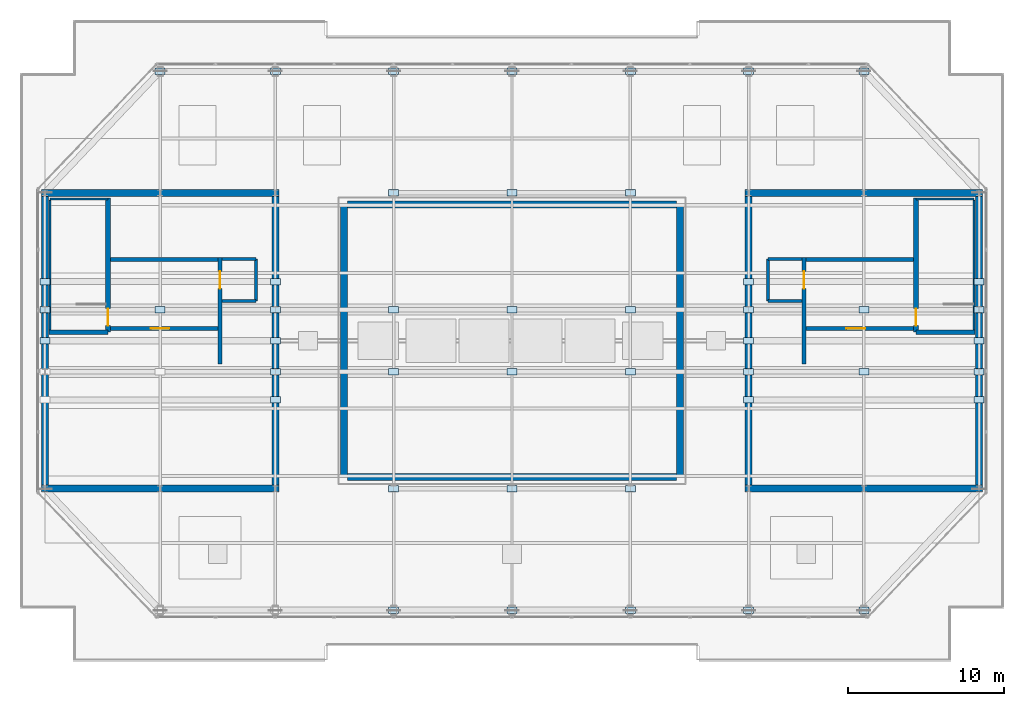
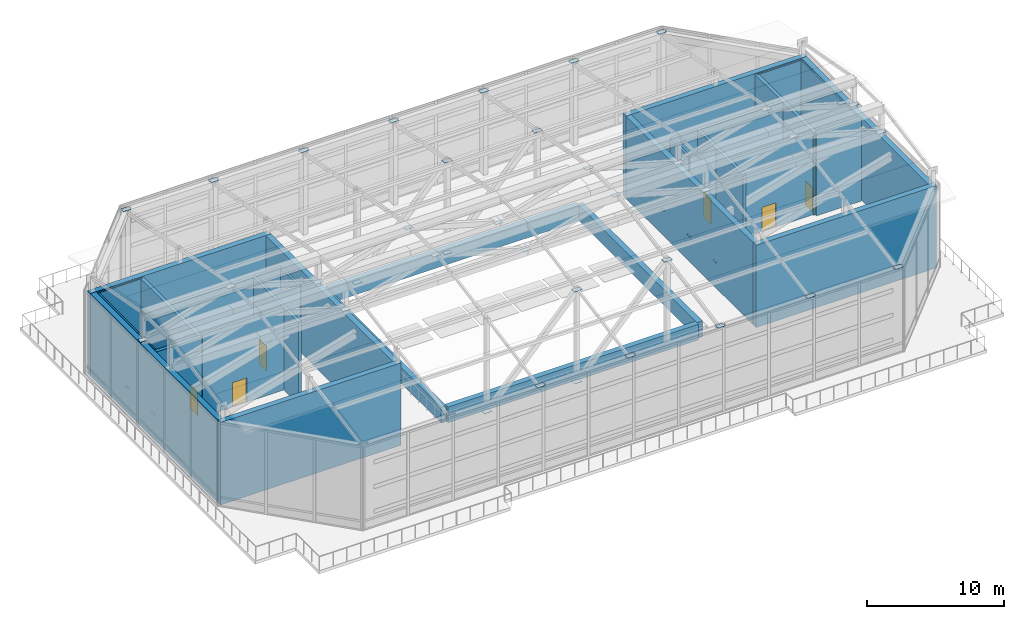
# One storey, part 23 of 25: 47 plates, 32 walls, 6 doors, 6 openings.
"""IFC4 building model written with IfcOpenShell, lengths in metres."""

from ifc_helpers import new_model, si_unit, direction, frame, frame_2d, origin, origin_2d, place, context, subcontext, project, spatial, rectangle, extrude, source, transform, mapped, material, layer, layer_set, type_object, type_shapes, element, fill, save


model = new_model("IFC4")

# Units and contexts
model_context = context("Model", 3, precision=1e-05, world=origin(), true_north=direction((0.0, 1.0)))
body_context = subcontext(model_context, "Body", "Model", "MODEL_VIEW")
ifc_project = project(units=[si_unit("LENGTHUNIT", "METRE"), si_unit("AREAUNIT", "SQUARE_METRE"), si_unit("VOLUMEUNIT", "CUBIC_METRE"), si_unit("PLANEANGLEUNIT", "RADIAN"), si_unit("MASSUNIT", "GRAM", prefix="KILO")], contexts=[model_context])

# Site, building, storey
site_placement = place(None, origin())
site = spatial("IfcSite", under=ifc_project, at=site_placement, CompositionType="ELEMENT")
building_placement = place(site_placement, origin())
building = spatial("IfcBuilding", under=site, at=building_placement, Name="Haelvirn Gate Laboratories", CompositionType="ELEMENT")
storey_placement = place(building_placement, frame((0.0, 0.0, 337.800048828125)))
storey = spatial("IfcBuildingStorey", under=building, at=storey_placement, Name="RF", CompositionType="ELEMENT", Elevation=337.800048828125)

# Plates
ifc_material_1 = material(Name="Steel SM420", Category="steel")
ifc_layer_1 = layer(ifc_material_1, 0.028076171875, Name="PL-NODE-CN1")
ifc_layer_set_1 = layer_set([ifc_layer_1], Name="Steel SM420")
plate_type = type_object("IfcPlateType", Name="PL-NODE-CN1", PredefinedType="USERDEFINED", material=ifc_layer_set_1)
shared_shape_1 = source(origin(), body_context, "Body", "SweptSolid", [
    extrude(rectangle(XDim=0.64990234375, YDim=0.419921875, at=origin_2d()), origin(), (0.0, 0.0, 1.0), 0.028076171875),
])
type_shapes(plate_type, [shared_shape_1])
for number, where, z_axis, x_axis, name in (
    (1, (29.800048828125, 7.0, 7.3359375), (0.0, 0.0, 1.0), (1.0, 0.0, 0.0), "RF Steel Truss Node Plate CN1"),
    (2, (37.39990234375, 7.0, 7.3359375), (0.0, 0.0, 1.0), (1.0, 0.0, 0.0), "RF Steel Truss Node Plate CN1"),
    (3, (45.0, 7.0, 7.3359375), (0.0, 0.0, 1.0), (1.0, 0.0, 0.0), "RF Steel Truss Node Plate CN1"),
    (4, (52.60009765625, 7.0, 7.3359375), (0.0, 0.0, 1.0), (1.0, 0.0, 0.0), "RF Steel Truss Node Plate CN1"),
    (5, (60.0, 7.0, 7.3359375), (0.0, 0.0, 1.0), (1.0, 0.0, 0.0), "RF Steel Truss Node Plate CN1"),
    (6, (14.800048828125, 41.60009765625, 7.3359375), (0.0, 0.0, 1.0), (1.0, 0.0, 0.0), "RF Steel Truss Node Plate CN1"),
    (7, (22.199951171875, 41.60009765625, 7.3359375), (0.0, 0.0, 1.0), (1.0, 0.0, 0.0), "RF Steel Truss Node Plate CN1"),
    (8, (29.800048828125, 41.60009765625, 7.3359375), (0.0, 0.0, 1.0), (1.0, 0.0, 0.0), "RF Steel Truss Node Plate CN1"),
    (9, (37.39990234375, 41.60009765625, 7.3359375), (0.0, 0.0, 1.0), (1.0, 0.0, 0.0), "RF Steel Truss Node Plate CN1"),
    (10, (45.0, 41.60009765625, 7.3359375), (0.0, 0.0, 1.0), (1.0, 0.0, 0.0), "RF Steel Truss Node Plate CN1"),
    (11, (52.60009765625, 41.60009765625, 7.3359375), (0.0, 0.0, 1.0), (1.0, 0.0, 0.0), "RF Steel Truss Node Plate CN1"),
    (12, (60.0, 41.60009765625, 7.3359375), (0.0, 0.0, 1.0), (1.0, 0.0, 0.0), "RF Steel Truss Node Plate CN1"),
    (13, (29.800048828125, 14.800048828125, 0.2861328125), (0.0, 0.0, 1.0), (1.0, 0.0, 0.0), "RF Steel Truss Node Plate CN1"),
    (14, (37.39990234375, 14.800048828125, 8.4970703125), (0.0, 0.0, 1.0), (1.0, 0.0, 0.0), "RF Steel Truss Node Plate CN1"),
    (15, (37.39990234375, 14.800048828125, 0.2861328125), (0.0, 0.0, 1.0), (1.0, 0.0, 0.0), "RF Steel Truss Node Plate CN1"),
    (16, (45.0, 14.800048828125, 8.4970703125), (0.0, 0.0, 1.0), (1.0, 0.0, 0.0), "RF Steel Truss Node Plate CN1"),
    (17, (29.800048828125, 33.800048828125, 0.2861328125), (0.0, 0.0, 1.0), (1.0, 0.0, 0.0), "RF Steel Truss Node Plate CN1"),
    (18, (37.39990234375, 33.800048828125, 8.4970703125), (0.0, 0.0, 1.0), (1.0, 0.0, 0.0), "RF Steel Truss Node Plate CN1"),
    (19, (37.39990234375, 33.800048828125, 0.2861328125), (0.0, 0.0, 1.0), (1.0, 0.0, 0.0), "RF Steel Truss Node Plate CN1"),
    (20, (45.0, 33.800048828125, 8.4970703125), (0.0, 0.0, 1.0), (1.0, 0.0, 0.0), "RF Steel Truss Node Plate CN1"),
    (21, (22.199951171875, 20.5, 6.5859375), (0.0, 0.0, 1.0), (1.0, 0.0, 0.0), "RF Steel Truss Node Plate CN1"),
    (22, (52.60009765625, 20.5, 2.3359375), (0.0, 0.0, 1.0), (1.0, 0.0, 0.0), "RF Steel Truss Node Plate CN1"),
    (23, (67.39990234375, 20.5, 6.5859375), (0.0, 0.0, 1.0), (1.0, 0.0, 0.0), "RF Steel Truss Node Plate CN1"),
    (24, (7.39990234375, 24.300048828125, 2.3359375), (0.0, 0.0, 1.0), (1.0, 0.0, 0.0), "RF Steel Truss Node Plate CN1"),
    (25, (22.199951171875, 24.300048828125, 6.5859375), (0.0, 0.0, 1.0), (1.0, 0.0, 0.0), "RF Steel Truss Node Plate CN1"),
    (26, (52.60009765625, 24.300048828125, 2.3359375), (0.0, 0.0, 1.0), (1.0, 0.0, 0.0), "RF Steel Truss Node Plate CN1"),
    (27, (67.39990234375, 24.300048828125, 6.5859375), (0.0, 0.0, 1.0), (1.0, 0.0, 0.0), "RF Steel Truss Node Plate CN1"),
    (28, (7.39990234375, 28.10009765625, 2.3359375), (0.0, 0.0, 1.0), (1.0, 0.0, 0.0), "RF Steel Truss Node Plate CN1"),
    (29, (22.199951171875, 28.10009765625, 6.5859375), (0.0, 0.0, 1.0), (1.0, 0.0, 0.0), "RF Steel Truss Node Plate CN1"),
    (30, (52.60009765625, 28.10009765625, 2.3359375), (0.0, 0.0, 1.0), (1.0, 0.0, 0.0), "RF Steel Truss Node Plate CN1"),
    (31, (67.39990234375, 28.10009765625, 6.5859375), (0.0, 0.0, 1.0), (1.0, 0.0, 0.0), "RF Steel Truss Node Plate CN1"),
    (32, (22.199951171875, 22.300048828125, 7.5361328125), (0.0, 0.0, 1.0), (1.0, 0.0, 0.0), "RF Steel Truss Node Plate CN1"),
    (33, (29.800048828125, 22.300048828125, 9.7412109375), (0.0, 0.0, 1.0), (1.0, 0.0, 0.0), "RF Steel Truss Node Plate CN1"),
    (34, (37.39990234375, 22.300048828125, 7.5361328125), (0.0, 0.0, 1.0), (1.0, 0.0, 0.0), "RF Steel Truss Node Plate CN1"),
    (35, (45.0, 22.300048828125, 9.7412109375), (0.0, 0.0, 1.0), (1.0, 0.0, 0.0), "RF Steel Truss Node Plate CN1"),
    (36, (52.60009765625, 22.300048828125, 7.5361328125), (0.0, 0.0, 1.0), (1.0, 0.0, 0.0), "RF Steel Truss Node Plate CN1"),
    (37, (60.0, 22.300048828125, 9.7412109375), (0.0, 0.0, 1.0), (1.0, 0.0, 0.0), "RF Steel Truss Node Plate CN1"),
    (38, (67.39990234375, 22.300048828125, 7.5361328125), (0.0, 0.0, 1.0), (1.0, 0.0, 0.0), "RF Steel Truss Node Plate CN1"),
    (39, (7.39990234375, 26.300048828125, 7.5361328125), (0.0, 0.0, 1.0), (1.0, 0.0, 0.0), "RF Steel Truss Node Plate CN1"),
    (40, (14.800048828125, 26.300048828125, 9.7412109375), (0.0, 0.0, 1.0), (1.0, 0.0, 0.0), "RF Steel Truss Node Plate CN1"),
    (41, (22.199951171875, 26.300048828125, 7.5361328125), (0.0, 0.0, 1.0), (1.0, 0.0, 0.0), "RF Steel Truss Node Plate CN1"),
    (42, (29.800048828125, 26.300048828125, 9.7412109375), (0.0, 0.0, 1.0), (1.0, 0.0, 0.0), "RF Steel Truss Node Plate CN1"),
    (43, (37.39990234375, 26.300048828125, 7.5361328125), (0.0, 0.0, 1.0), (1.0, 0.0, 0.0), "RF Steel Truss Node Plate CN1"),
    (44, (45.0, 26.300048828125, 9.7412109375), (0.0, 0.0, 1.0), (1.0, 0.0, 0.0), "RF Steel Truss Node Plate CN1"),
    (45, (52.60009765625, 26.300048828125, 7.5361328125), (0.0, 0.0, 1.0), (1.0, 0.0, 0.0), "RF Steel Truss Node Plate CN1"),
    (46, (60.0, 26.300048828125, 9.7412109375), (0.0, 0.0, 1.0), (1.0, 0.0, 0.0), "RF Steel Truss Node Plate CN1"),
    (47, (67.39990234375, 26.300048828125, 7.5361328125), (0.0, 0.0, 1.0), (1.0, 0.0, 0.0), "RF Steel Truss Node Plate CN1"),
):
    element("IfcPlate", number, at=place(storey_placement, frame(where, z_axis=z_axis, x_axis=x_axis)), inside=storey, type_object=plate_type, Name=name, ObjectType="END_CAP_PLATE", PredefinedType="USERDEFINED", context=body_context, shape_type="MappedRepresentation", body=[
        mapped(shared_shape_1, transform((0.0, 0.0, 0.0), scale=1.0)),
    ])

# Walls
ifc_material_2 = material(Name="Concrete C40/50", Category="concrete")
ifc_layer_2 = layer(ifc_material_2, 0.199951171875, Name="IW-SHAFT-200")
ifc_layer_set_2 = layer_set([ifc_layer_2], Name="Concrete C40/50")
wall_type_1 = type_object("IfcWallType", Name="IW-SHAFT-200", PredefinedType="SOLIDWALL", material=ifc_layer_set_2)
wall_1_placement = place(storey_placement, frame((20.949951171875, 26.85009765625, 0.0), z_axis=(0.0, 0.0, 1.0), x_axis=(0.0, 1.0, 0.0)))
element("IfcWall", 48, at=wall_1_placement, inside=storey, type_object=wall_type_1, Name="RF Interior Wall IW-RF-FL1-BK", PredefinedType="SOLIDWALL", context=body_context, shape_type="SweptSolid", body=[
    extrude(rectangle(XDim=2.699951171875, YDim=0.199951171875, at=frame_2d((1.35009765625, 0.0))), origin(), (0.0, 0.0, 1.0), 7.349853515625),
])
for number, where, z_axis, x_axis, name in (
    (49, (18.760009765625, 29.550048828125, 0.0), (0.0, 0.0, 1.0), (1.0, 0.0, 0.0), "RF Interior Wall IW-RF-FL1-N"),
    (50, (18.760009765625, 26.85009765625, 0.0), (0.0, 0.0, 1.0), (1.0, 0.0, 0.0), "RF Interior Wall IW-RF-FL1-S"),
):
    element("IfcWall", number, at=place(storey_placement, frame(where, z_axis=z_axis, x_axis=x_axis)), inside=storey, type_object=wall_type_1, Name=name, PredefinedType="SOLIDWALL", context=body_context, shape_type="SweptSolid", body=[
        extrude(rectangle(XDim=2.18994140625, YDim=0.199951171875, at=frame_2d((1.094970703125, 0.0))), origin(), (0.0, 0.0, 1.0), 7.349853515625),
    ])
wall_2_placement = place(storey_placement, frame((53.85009765625, 26.85009765625, 0.0), z_axis=(0.0, 0.0, 1.0), x_axis=(0.0, 1.0, 0.0)))
element("IfcWall", 51, at=wall_2_placement, inside=storey, type_object=wall_type_1, Name="RF Interior Wall IW-RF-FL2-BK", PredefinedType="SOLIDWALL", context=body_context, shape_type="SweptSolid", body=[
    extrude(rectangle(XDim=2.699951171875, YDim=0.199951171875, at=frame_2d((1.35009765625, 0.0))), origin(), (0.0, 0.0, 1.0), 7.349853515625),
])
for number, where, z_axis, x_axis, name in (
    (52, (53.85009765625, 29.550048828125, 0.0), (0.0, 0.0, 1.0), (1.0, 0.0, 0.0), "RF Interior Wall IW-RF-FL2-N"),
    (53, (53.85009765625, 26.85009765625, 0.0), (0.0, 0.0, 1.0), (1.0, 0.0, 0.0), "RF Interior Wall IW-RF-FL2-S"),
):
    element("IfcWall", number, at=place(storey_placement, frame(where, z_axis=z_axis, x_axis=x_axis)), inside=storey, type_object=wall_type_1, Name=name, PredefinedType="SOLIDWALL", context=body_context, shape_type="SweptSolid", body=[
        extrude(rectangle(XDim=2.18994140625, YDim=0.199951171875, at=frame_2d((1.094970703125, 0.0))), origin(), (0.0, 0.0, 1.0), 7.349853515625),
    ])

# Wall, opening, door
ifc_layer_3 = layer(ifc_material_2, 0.239990234375, Name="IW-SHAFT-240")
ifc_layer_set_3 = layer_set([ifc_layer_3], Name="Concrete C40/50")
wall_type_2 = type_object("IfcWallType", Name="IW-SHAFT-240", PredefinedType="SOLIDWALL", material=ifc_layer_set_3)
wall_3_placement = place(storey_placement, frame((11.60009765625, 25.080078125, 0.0), z_axis=(0.0, 0.0, 1.0), x_axis=(1.0, 0.0, 0.0)))
wall_3 = element("IfcWall", 54, at=wall_3_placement, inside=storey, type_object=wall_type_2, Name="RF Interior Wall IW-RF-W-FF-S", PredefinedType="SOLIDWALL", context=body_context, shape_type="SweptSolid", body=[
    extrude(rectangle(XDim=6.919921875, YDim=0.239990234375, at=frame_2d((3.4599609375, 0.0))), origin(), (0.0, 0.0, 1.0), 7.349853515625),
])
opening_1_placement = place(wall_3_placement, frame((2.60009765625, 0.0, 0.0)))
opening_1 = element("IfcOpeningElement", 55, at=opening_1_placement, cuts=wall_3, Name="Opening FD2", PredefinedType="OPENING", context=body_context, shape_type="SweptSolid", body=[
    extrude(rectangle(XDim=1.199951171875, YDim=2.159912109375, at=frame_2d((0.60009765625, 1.080078125))), frame((0.0, 0.1298828125, 0.0), z_axis=(0.0, -1.0, 0.0), x_axis=(1.0, 0.0, 0.0)), (0.0, 0.0, 1.0), 0.260009765625),
])
ifc_material_3 = material(Name="Fire-rated steel SM355 compartment door", Category="steel")
door_type_1 = type_object("IfcDoorType", Name="DR-FD-1200", OperationType="NOTDEFINED", PredefinedType="DOOR", material=ifc_material_3)
shared_shape_2 = source(origin(), body_context, "Body", "SweptSolid", [
    extrude(rectangle(XDim=1.199951171875, YDim=2.159912109375, at=frame_2d((0.60009765625, 1.080078125))), frame((0.0, 0.02490234375, 0.0), z_axis=(0.0, -1.0, 0.0), x_axis=(1.0, 0.0, 0.0)), (0.0, 0.0, 1.0), 0.050048828125),
])
type_shapes(door_type_1, [shared_shape_2])
door_1_placement = place(opening_1_placement, origin())
door_1 = element("IfcDoor", 56, at=door_1_placement, inside=storey, type_object=door_type_1, Name="RF West Firefighting Lobby Door", OperationType="SINGLE_SWING_RIGHT", OverallHeight=2.159912109375, OverallWidth=1.199951171875, PredefinedType="DOOR", context=body_context, shape_type="MappedRepresentation", body=[
    mapped(shared_shape_2, transform((0.0, 0.0, 0.0), scale=1.0)),
])
fill(opening_1, door_1)

# Wall
wall_4_placement = place(storey_placement, frame((11.60009765625, 29.52001953125, 0.0), z_axis=(0.0, 0.0, 1.0), x_axis=(1.0, 0.0, 0.0)))
element("IfcWall", 57, at=wall_4_placement, inside=storey, type_object=wall_type_2, Name="RF Interior Wall IW-RF-W-FF-N", PredefinedType="SOLIDWALL", context=body_context, shape_type="SweptSolid", body=[
    extrude(rectangle(XDim=6.919921875, YDim=0.239990234375, at=frame_2d((3.4599609375, 0.0))), origin(), (0.0, 0.0, 1.0), 7.349853515625),
])

# Wall, opening, door
wall_5_placement = place(storey_placement, frame((18.639892578125, 22.800048828125, 0.0), z_axis=(0.0, 0.0, 1.0), x_axis=(0.0, 1.0, 0.0)))
wall_5 = element("IfcWall", 58, at=wall_5_placement, inside=storey, type_object=wall_type_2, Name="RF Interior Wall IW-RF-W-FF-E", PredefinedType="SOLIDWALL", context=body_context, shape_type="SweptSolid", body=[
    extrude(rectangle(XDim=6.849853515625, YDim=0.239990234375, at=frame_2d((3.4248046875, 0.0))), origin(), (0.0, 0.0, 1.0), 7.349853515625),
])
opening_2_placement = place(wall_5_placement, frame((4.85009765625, 0.0, 0.0)))
opening_2 = element("IfcOpeningElement", 59, at=opening_2_placement, cuts=wall_5, Name="Opening LD2", PredefinedType="OPENING", context=body_context, shape_type="SweptSolid", body=[
    extrude(rectangle(XDim=1.10009765625, YDim=2.219970703125, at=frame_2d((0.550048828125, 1.10986328125))), frame((0.0, 0.1298828125, 0.0), z_axis=(0.0, -1.0, 0.0), x_axis=(1.0, 0.0, 0.0)), (0.0, 0.0, 1.0), 0.260009765625),
])
ifc_material_4 = material(Name="Bronze stainless 316L sliding lift landing door")
door_type_2 = type_object("IfcDoorType", Name="DR-LD-1100", OperationType="NOTDEFINED", PredefinedType="USERDEFINED", material=ifc_material_4)
shared_shape_3 = source(origin(), body_context, "Body", "SweptSolid", [
    extrude(rectangle(XDim=1.10009765625, YDim=2.219970703125, at=frame_2d((0.550048828125, 1.10986328125))), frame((0.0, 0.02490234375, 0.0), z_axis=(0.0, -1.0, 0.0), x_axis=(1.0, 0.0, 0.0)), (0.0, 0.0, 1.0), 0.050048828125),
])
type_shapes(door_type_2, [shared_shape_3])
door_2_placement = place(opening_2_placement, origin())
door_2 = element("IfcDoor", 60, at=door_2_placement, inside=storey, type_object=door_type_2, Name="RF Firefighting Lift FL1 Landing Door", ObjectType="LANDING_DOOR", OperationType="SLIDING_TO_LEFT", OverallHeight=2.219970703125, OverallWidth=1.10009765625, PredefinedType="USERDEFINED", context=body_context, shape_type="MappedRepresentation", body=[
    mapped(shared_shape_3, transform((0.0, 0.0, 0.0), scale=1.0)),
])
fill(opening_2, door_2)

wall_6_placement = place(storey_placement, frame((56.280029296875, 25.080078125, 0.0), z_axis=(0.0, 0.0, 1.0), x_axis=(1.0, 0.0, 0.0)))
wall_6 = element("IfcWall", 61, at=wall_6_placement, inside=storey, type_object=wall_type_2, Name="RF Interior Wall IW-RF-E-FF-S", PredefinedType="SOLIDWALL", context=body_context, shape_type="SweptSolid", body=[
    extrude(rectangle(XDim=6.919921875, YDim=0.239990234375, at=frame_2d((3.4599609375, 0.0))), origin(), (0.0, 0.0, 1.0), 7.349853515625),
])
opening_3_placement = place(wall_6_placement, frame((2.60009765625, 0.0, 0.0)))
opening_3 = element("IfcOpeningElement", 62, at=opening_3_placement, cuts=wall_6, Name="Opening FD2", PredefinedType="OPENING", context=body_context, shape_type="SweptSolid", body=[
    extrude(rectangle(XDim=1.199951171875, YDim=2.159912109375, at=frame_2d((0.60009765625, 1.080078125))), frame((0.0, 0.1298828125, 0.0), z_axis=(0.0, -1.0, 0.0), x_axis=(1.0, 0.0, 0.0)), (0.0, 0.0, 1.0), 0.260009765625),
])
door_3_placement = place(opening_3_placement, origin())
door_3 = element("IfcDoor", 63, at=door_3_placement, inside=storey, type_object=door_type_1, Name="RF East Firefighting Lobby Door", OperationType="SINGLE_SWING_LEFT", OverallHeight=2.159912109375, OverallWidth=1.199951171875, PredefinedType="DOOR", context=body_context, shape_type="MappedRepresentation", body=[
    mapped(shared_shape_2, transform((0.0, 0.0, 0.0), scale=1.0)),
])
fill(opening_3, door_3)

# Wall
wall_7_placement = place(storey_placement, frame((56.280029296875, 29.52001953125, 0.0), z_axis=(0.0, 0.0, 1.0), x_axis=(1.0, 0.0, 0.0)))
element("IfcWall", 64, at=wall_7_placement, inside=storey, type_object=wall_type_2, Name="RF Interior Wall IW-RF-E-FF-N", PredefinedType="SOLIDWALL", context=body_context, shape_type="SweptSolid", body=[
    extrude(rectangle(XDim=6.919921875, YDim=0.239990234375, at=frame_2d((3.4599609375, 0.0))), origin(), (0.0, 0.0, 1.0), 7.349853515625),
])

# Wall, opening, door
wall_8_placement = place(storey_placement, frame((56.159912109375, 22.800048828125, 0.0), z_axis=(0.0, 0.0, 1.0), x_axis=(0.0, 1.0, 0.0)))
wall_8 = element("IfcWall", 65, at=wall_8_placement, inside=storey, type_object=wall_type_2, Name="RF Interior Wall IW-RF-E-FF-E", PredefinedType="SOLIDWALL", context=body_context, shape_type="SweptSolid", body=[
    extrude(rectangle(XDim=6.849853515625, YDim=0.239990234375, at=frame_2d((3.4248046875, 0.0))), origin(), (0.0, 0.0, 1.0), 7.349853515625),
])
opening_4_placement = place(wall_8_placement, frame((4.85009765625, 0.0, 0.0)))
opening_4 = element("IfcOpeningElement", 66, at=opening_4_placement, cuts=wall_8, Name="Opening LD2", PredefinedType="OPENING", context=body_context, shape_type="SweptSolid", body=[
    extrude(rectangle(XDim=1.10009765625, YDim=2.219970703125, at=frame_2d((0.550048828125, 1.10986328125))), frame((0.0, 0.1298828125, 0.0), z_axis=(0.0, -1.0, 0.0), x_axis=(1.0, 0.0, 0.0)), (0.0, 0.0, 1.0), 0.260009765625),
])
door_4_placement = place(opening_4_placement, origin())
door_4 = element("IfcDoor", 67, at=door_4_placement, inside=storey, type_object=door_type_2, Name="RF Firefighting Lift FL2 Landing Door", ObjectType="LANDING_DOOR", OperationType="SLIDING_TO_RIGHT", OverallHeight=2.219970703125, OverallWidth=1.10009765625, PredefinedType="USERDEFINED", context=body_context, shape_type="MappedRepresentation", body=[
    mapped(shared_shape_3, transform((0.0, 0.0, 0.0), scale=1.0)),
])
fill(opening_4, door_4)

# Walls
ifc_material_5 = material(Name="Concrete C50/60", Category="concrete")
ifc_layer_4 = layer(ifc_material_5, 0.449951171875, Name="SW-CORE-450")
ifc_layer_set_4 = layer_set([ifc_layer_4], Name="Concrete C50/60")
wall_type_3 = type_object("IfcWallType", Name="SW-CORE-450", PredefinedType="SHEAR", material=ifc_layer_set_4)
for number, where, z_axis, x_axis, name in (
    (68, (7.175048828125, 14.800048828125, 0.0), (0.0, 0.0, 1.0), (1.0, 0.0, 0.0), "RF W Core Shear Wall S"),
    (69, (7.175048828125, 33.800048828125, 0.0), (0.0, 0.0, 1.0), (1.0, 0.0, 0.0), "RF W Core Shear Wall N"),
):
    element("IfcWall", number, at=place(storey_placement, frame(where, z_axis=z_axis, x_axis=x_axis)), inside=storey, type_object=wall_type_3, Name=name, PredefinedType="SHEAR", context=body_context, shape_type="SweptSolid", body=[
        extrude(rectangle(XDim=15.25, YDim=0.449951171875, at=frame_2d((7.625, 0.0))), origin(), (0.0, 0.0, 1.0), 7.349853515625),
    ])
for number, where, z_axis, x_axis, name in (
    (70, (7.39990234375, 15.02490234375, 0.0), (0.0, 0.0, 1.0), (0.0, 1.0, 0.0), "RF W Core Shear Wall W"),
    (71, (22.199951171875, 15.02490234375, 0.0), (0.0, 0.0, 1.0), (0.0, 1.0, 0.0), "RF W Core Shear Wall E"),
):
    element("IfcWall", number, at=place(storey_placement, frame(where, z_axis=z_axis, x_axis=x_axis)), inside=storey, type_object=wall_type_3, Name=name, PredefinedType="SHEAR", context=body_context, shape_type="SweptSolid", body=[
        extrude(rectangle(XDim=18.550048828125, YDim=0.449951171875, at=frame_2d((9.27490234375, 0.0))), origin(), (0.0, 0.0, 1.0), 7.349853515625),
    ])
for number, where, z_axis, x_axis, name in (
    (72, (52.375, 14.800048828125, 0.0), (0.0, 0.0, 1.0), (1.0, 0.0, 0.0), "RF E Core Shear Wall S"),
    (73, (52.375, 33.800048828125, 0.0), (0.0, 0.0, 1.0), (1.0, 0.0, 0.0), "RF E Core Shear Wall N"),
):
    element("IfcWall", number, at=place(storey_placement, frame(where, z_axis=z_axis, x_axis=x_axis)), inside=storey, type_object=wall_type_3, Name=name, PredefinedType="SHEAR", context=body_context, shape_type="SweptSolid", body=[
        extrude(rectangle(XDim=15.25, YDim=0.449951171875, at=frame_2d((7.625, 0.0))), origin(), (0.0, 0.0, 1.0), 7.349853515625),
    ])
for number, where, z_axis, x_axis, name in (
    (74, (52.60009765625, 15.02490234375, 0.0), (0.0, 0.0, 1.0), (0.0, 1.0, 0.0), "RF E Core Shear Wall W"),
    (75, (67.39990234375, 15.02490234375, 0.0), (0.0, 0.0, 1.0), (0.0, 1.0, 0.0), "RF E Core Shear Wall E"),
):
    element("IfcWall", number, at=place(storey_placement, frame(where, z_axis=z_axis, x_axis=x_axis)), inside=storey, type_object=wall_type_3, Name=name, PredefinedType="SHEAR", context=body_context, shape_type="SweptSolid", body=[
        extrude(rectangle(XDim=18.550048828125, YDim=0.449951171875, at=frame_2d((9.27490234375, 0.0))), origin(), (0.0, 0.0, 1.0), 7.349853515625),
    ])
for number, where, z_axis, x_axis, name in (
    (76, (26.820068359375, 15.550048828125, 0.0), (0.0, 0.0, 1.0), (1.0, 0.0, 0.0), "RF Atrium Skylight Monitor Curb Wall S"),
    (77, (26.820068359375, 33.050048828125, 0.0), (0.0, 0.0, 1.0), (1.0, 0.0, 0.0), "RF Atrium Skylight Monitor Curb Wall N"),
):
    element("IfcWall", number, at=place(storey_placement, frame(where, z_axis=z_axis, x_axis=x_axis)), inside=storey, type_object=wall_type_3, Name=name, PredefinedType="SHEAR", context=body_context, shape_type="SweptSolid", body=[
        extrude(rectangle(XDim=21.159912109375, YDim=0.449951171875, at=frame_2d((10.580078125, 0.0))), origin(), (0.0, 0.0, 1.0), 1.39990234375),
    ])
for number, where, z_axis, x_axis, name in (
    (78, (26.60009765625, 15.550048828125, 0.0), (0.0, 0.0, 1.0), (0.0, 1.0, 0.0), "RF Atrium Skylight Monitor Curb Wall W"),
    (79, (48.199951171875, 15.550048828125, 0.0), (0.0, 0.0, 1.0), (0.0, 1.0, 0.0), "RF Atrium Skylight Monitor Curb Wall E"),
):
    element("IfcWall", number, at=place(storey_placement, frame(where, z_axis=z_axis, x_axis=x_axis)), inside=storey, type_object=wall_type_3, Name=name, PredefinedType="SHEAR", context=body_context, shape_type="SweptSolid", body=[
        extrude(rectangle(XDim=17.5, YDim=0.449951171875, at=frame_2d((8.75, 0.0))), origin(), (0.0, 0.0, 1.0), 1.39990234375),
    ])
ifc_layer_5 = layer(ifc_material_5, 0.1201171875, Name="SW-LINER-120")
ifc_layer_set_5 = layer_set([ifc_layer_5], Name="Concrete C50/60")
wall_type_4 = type_object("IfcWallType", Name="SW-LINER-120", PredefinedType="SOLIDWALL", material=ifc_layer_set_5)
wall_9_placement = place(storey_placement, frame((7.72998046875, 33.39990234375, 0.0), z_axis=(0.0, 0.0, 1.0), x_axis=(1.0, 0.0, 0.0)))
element("IfcWall", 80, at=wall_9_placement, inside=storey, type_object=wall_type_4, Name="RF W Core Stair Shaft Liner Wall N", PredefinedType="SOLIDWALL", context=body_context, shape_type="SweptSolid", body=[
    extrude(rectangle(XDim=3.719970703125, YDim=0.1201171875, at=frame_2d((1.85986328125, 0.0))), origin(), (0.0, 0.0, 1.0), 7.349853515625),
])
wall_10_placement = place(storey_placement, frame((7.72998046875, 25.0, 0.0), z_axis=(0.0, 0.0, 1.0), x_axis=(0.0, 1.0, 0.0)))
element("IfcWall", 81, at=wall_10_placement, inside=storey, type_object=wall_type_4, Name="RF W Core Stair Shaft Liner Wall OUT", PredefinedType="SOLIDWALL", context=body_context, shape_type="SweptSolid", body=[
    extrude(rectangle(XDim=8.320068359375, YDim=0.1201171875, at=frame_2d((4.16015625, 0.0))), origin(), (0.0, 0.0, 1.0), 7.349853515625),
])
wall_11_placement = place(storey_placement, frame((63.35009765625, 33.39990234375, 0.0), z_axis=(0.0, 0.0, 1.0), x_axis=(1.0, 0.0, 0.0)))
element("IfcWall", 82, at=wall_11_placement, inside=storey, type_object=wall_type_4, Name="RF E Core Stair Shaft Liner Wall N", PredefinedType="SOLIDWALL", context=body_context, shape_type="SweptSolid", body=[
    extrude(rectangle(XDim=3.719970703125, YDim=0.1201171875, at=frame_2d((1.85986328125, 0.0))), origin(), (0.0, 0.0, 1.0), 7.349853515625),
])
wall_12_placement = place(storey_placement, frame((67.070068359375, 25.0, 0.0), z_axis=(0.0, 0.0, 1.0), x_axis=(0.0, 1.0, 0.0)))
element("IfcWall", 83, at=wall_12_placement, inside=storey, type_object=wall_type_4, Name="RF E Core Stair Shaft Liner Wall OUT", PredefinedType="SOLIDWALL", context=body_context, shape_type="SweptSolid", body=[
    extrude(rectangle(XDim=8.320068359375, YDim=0.1201171875, at=frame_2d((4.16015625, 0.0))), origin(), (0.0, 0.0, 1.0), 7.349853515625),
])

# Wall, opening, door
ifc_layer_6 = layer(ifc_material_5, 0.300048828125, Name="SW-STAIR-300")
ifc_layer_set_6 = layer_set([ifc_layer_6], Name="Concrete C50/60")
wall_type_5 = type_object("IfcWallType", Name="SW-STAIR-300", PredefinedType="SHEAR", material=ifc_layer_set_6)
wall_13_placement = place(storey_placement, frame((11.449951171875, 24.85009765625, 0.0), z_axis=(0.0, 0.0, 1.0), x_axis=(0.0, 1.0, 0.0)))
wall_13 = element("IfcWall", 84, at=wall_13_placement, inside=storey, type_object=wall_type_5, Name="RF W Core Stair Shaft Structural Wall IN", PredefinedType="SHEAR", context=body_context, shape_type="SweptSolid", body=[
    extrude(rectangle(XDim=8.6298828125, YDim=0.300048828125, at=frame_2d((4.31494140625, 0.0))), origin(), (0.0, 0.0, 1.0), 7.349853515625),
])
opening_5_placement = place(wall_13_placement, frame((0.419921875, 0.0, 0.0)))
opening_5 = element("IfcOpeningElement", 85, at=opening_5_placement, cuts=wall_13, Name="Opening FD3", PredefinedType="OPENING", context=body_context, shape_type="SweptSolid", body=[
    extrude(rectangle(XDim=1.10009765625, YDim=2.14990234375, at=frame_2d((0.550048828125, 1.074951171875))), frame((0.0, 0.16015625, 0.0), z_axis=(0.0, -1.0, 0.0), x_axis=(1.0, 0.0, 0.0)), (0.0, 0.0, 1.0), 0.320068359375),
])
ifc_material_6 = material(Name="Fire-rated steel SM355 escape stair door", Category="steel")
door_type_3 = type_object("IfcDoorType", Name="DR-FD-1100", OperationType="NOTDEFINED", PredefinedType="DOOR", material=ifc_material_6)
shared_shape_4 = source(origin(), body_context, "Body", "SweptSolid", [
    extrude(rectangle(XDim=1.10009765625, YDim=2.14990234375, at=frame_2d((0.550048828125, 1.074951171875))), frame((0.0, 0.02490234375, 0.0), z_axis=(0.0, -1.0, 0.0), x_axis=(1.0, 0.0, 0.0)), (0.0, 0.0, 1.0), 0.050048828125),
])
type_shapes(door_type_3, [shared_shape_4])
door_5_placement = place(opening_5_placement, origin())
door_5 = element("IfcDoor", 86, at=door_5_placement, inside=storey, type_object=door_type_3, Name="RF Escape Stair ST1 Fire Door", OperationType="SINGLE_SWING_LEFT", OverallHeight=2.14990234375, OverallWidth=1.10009765625, PredefinedType="DOOR", context=body_context, shape_type="MappedRepresentation", body=[
    mapped(shared_shape_4, transform((0.0, 0.0, 0.0), scale=1.0)),
])
fill(opening_5, door_5)

# Wall
wall_14_placement = place(storey_placement, frame((7.64990234375, 24.85009765625, 0.0), z_axis=(0.0, 0.0, 1.0), x_axis=(1.0, 0.0, 0.0)))
element("IfcWall", 87, at=wall_14_placement, inside=storey, type_object=wall_type_5, Name="RF W Core Stair Shaft Structural Wall S", PredefinedType="SHEAR", context=body_context, shape_type="SweptSolid", body=[
    extrude(rectangle(XDim=3.800048828125, YDim=0.300048828125, at=frame_2d((1.89990234375, 0.0))), origin(), (0.0, 0.0, 1.0), 7.349853515625),
])

# Wall, opening, door
wall_15_placement = place(storey_placement, frame((63.35009765625, 24.85009765625, 0.0), z_axis=(0.0, 0.0, 1.0), x_axis=(0.0, 1.0, 0.0)))
wall_15 = element("IfcWall", 88, at=wall_15_placement, inside=storey, type_object=wall_type_5, Name="RF E Core Stair Shaft Structural Wall IN", PredefinedType="SHEAR", context=body_context, shape_type="SweptSolid", body=[
    extrude(rectangle(XDim=8.6298828125, YDim=0.300048828125, at=frame_2d((4.31494140625, 0.0))), origin(), (0.0, 0.0, 1.0), 7.349853515625),
])
opening_6_placement = place(wall_15_placement, frame((0.419921875, 0.0, 0.0)))
opening_6 = element("IfcOpeningElement", 89, at=opening_6_placement, cuts=wall_15, Name="Opening FD3", PredefinedType="OPENING", context=body_context, shape_type="SweptSolid", body=[
    extrude(rectangle(XDim=1.10009765625, YDim=2.14990234375, at=frame_2d((0.550048828125, 1.074951171875))), frame((0.0, 0.16015625, 0.0), z_axis=(0.0, -1.0, 0.0), x_axis=(1.0, 0.0, 0.0)), (0.0, 0.0, 1.0), 0.320068359375),
])
door_6_placement = place(opening_6_placement, origin())
door_6 = element("IfcDoor", 90, at=door_6_placement, inside=storey, type_object=door_type_3, Name="RF Escape Stair ST2 Fire Door", OperationType="SINGLE_SWING_RIGHT", OverallHeight=2.14990234375, OverallWidth=1.10009765625, PredefinedType="DOOR", context=body_context, shape_type="MappedRepresentation", body=[
    mapped(shared_shape_4, transform((0.0, 0.0, 0.0), scale=1.0)),
])
fill(opening_6, door_6)

# Wall
wall_16_placement = place(storey_placement, frame((63.35009765625, 24.85009765625, 0.0), z_axis=(0.0, 0.0, 1.0), x_axis=(1.0, 0.0, 0.0)))
element("IfcWall", 91, at=wall_16_placement, inside=storey, type_object=wall_type_5, Name="RF E Core Stair Shaft Structural Wall S", PredefinedType="SHEAR", context=body_context, shape_type="SweptSolid", body=[
    extrude(rectangle(XDim=3.7998046875, YDim=0.300048828125, at=frame_2d((1.89990234375, 0.0))), origin(), (0.0, 0.0, 1.0), 7.349853515625),
])

save(model, "model.ifc")
